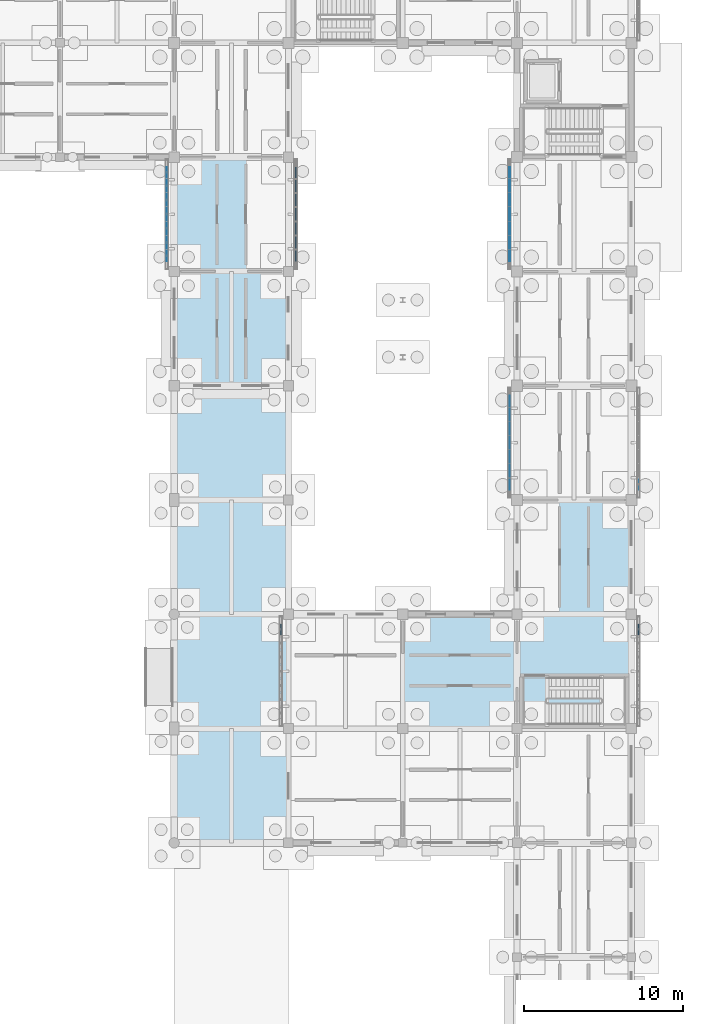
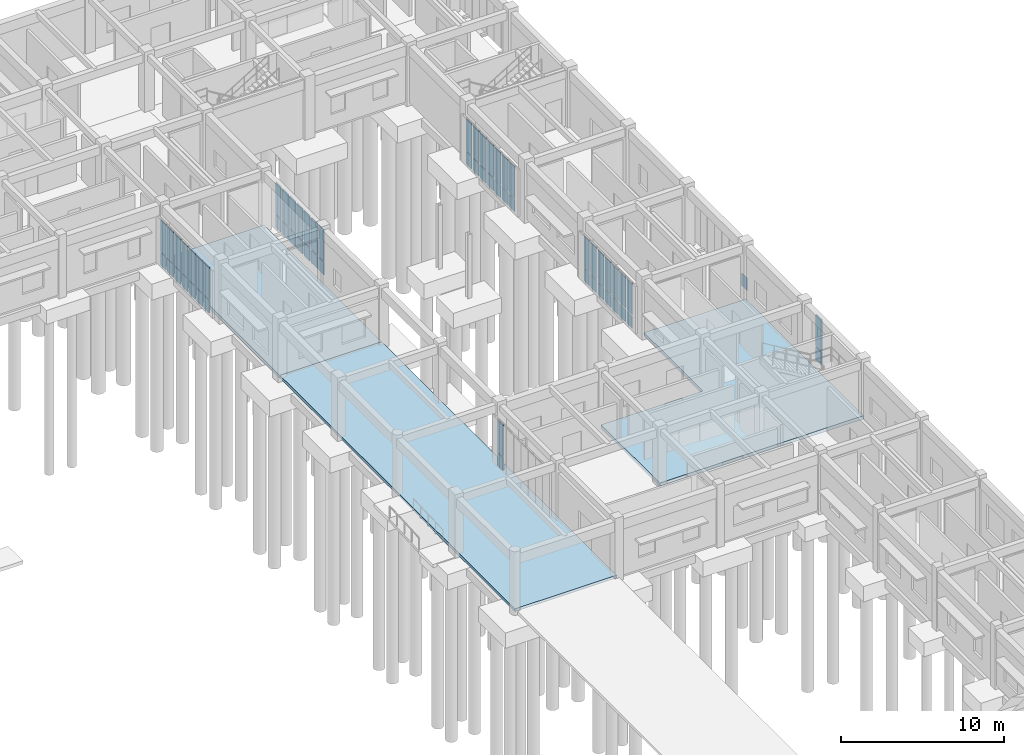
# One storey, part 56 of 111: 61 plates, 3 slabs, 7 elements without a shape of their own.
"""IFC4 building model written with IfcOpenShell, lengths in metres."""

from ifc_helpers import new_model, si_unit, direction, frame, origin, origin_2d, place, context, subcontext, project, spatial, polyline, rectangle, outline, extrude, material, layer, layer_set, type_object, element, aggregate, save


model = new_model("IFC4")

# Units and contexts
model_context = context("Model", 3, precision=1e-05, world=origin(), true_north=direction((0.0, 1.0)))
body_context = subcontext(model_context, "Body", "Model", "MODEL_VIEW")
ifc_project = project(units=[si_unit("LENGTHUNIT", "METRE"), si_unit("AREAUNIT", "SQUARE_METRE"), si_unit("VOLUMEUNIT", "CUBIC_METRE"), si_unit("PLANEANGLEUNIT", "RADIAN"), si_unit("MASSUNIT", "GRAM", prefix="KILO")], contexts=[model_context])

# Site, building, storey
site_placement = place(None, origin())
site = spatial("IfcSite", under=ifc_project, at=site_placement, CompositionType="ELEMENT")
building_placement = place(site_placement, origin())
building = spatial("IfcBuilding", under=site, at=building_placement, Name="Aldebral Square Health Centre", CompositionType="ELEMENT")
storey_placement = place(building_placement, origin())
storey = spatial("IfcBuildingStorey", under=building, at=storey_placement, Name="L00", CompositionType="ELEMENT", Elevation=0.0)

# Curtain wall, plates
ifc_material_1 = material(Name="Aluminium and low-E solar glass", Category="aluminium")
curtain_wall_type = type_object("IfcCurtainWallType", Name="CW-FIN-SYS", PredefinedType="USERDEFINED", material=ifc_material_1)
curtain_wall_1_placement = place(storey_placement, origin())
curtain_wall_1 = element("IfcCurtainWall", 1, at=curtain_wall_1_placement, inside=storey, type_object=curtain_wall_type, Name="L00 V5 finned curtain wall L00-V5-22-10-W", ObjectType="SOLAR_CURTAIN_WALL", PredefinedType="USERDEFINED")
ifc_material_2 = material(Name="Solar-control low-E double glass", Category="glass")
ifc_layer_1 = layer(ifc_material_2, 0.02001953125, Name="Solar-control low-E double glass", Category="glass")
ifc_layer_set_1 = layer_set([ifc_layer_1], Name="Solar-control low-E double glass")
plate_type_1 = type_object("IfcPlateType", Name="CWP-GLZ-1", PredefinedType="CURTAIN_PANEL", material=ifc_layer_set_1)
plate_1_placement = place(storey_placement, frame((157.93994140625, 78.234375, 0.074951171875), z_axis=(0.0, 0.0, 1.0), x_axis=(0.0, -1.0, 0.0)))
plate_1 = element("IfcPlate", 2, at=plate_1_placement, type_object=plate_type_1, Name="CW1 panel 1.1", PredefinedType="CURTAIN_PANEL", context=body_context, shape_type="SweptSolid", body=[
    extrude(rectangle(XDim=0.6513671875, YDim=0.02001953125, at=origin_2d()), origin(), (0.0, 0.0, 1.0), 0.9375),
])
plate_2_placement = place(storey_placement, frame((157.93994140625, 78.234375, 1.087646484375), z_axis=(0.0, 0.0, 1.0), x_axis=(0.0, -1.0, 0.0)))
plate_2 = element("IfcPlate", 3, at=plate_2_placement, type_object=plate_type_1, Name="CW1 panel 1.2", PredefinedType="CURTAIN_PANEL", context=body_context, shape_type="SweptSolid", body=[
    extrude(rectangle(XDim=0.6513671875, YDim=0.02001953125, at=origin_2d()), origin(), (0.0, 0.0, 1.0), 2.357421875),
])
plate_3_placement = place(storey_placement, frame((157.93994140625, 77.3828125, 0.074951171875), z_axis=(0.0, 0.0, 1.0), x_axis=(0.0, -1.0, 0.0)))
plate_3 = element("IfcPlate", 4, at=plate_3_placement, type_object=plate_type_1, Name="CW1 panel 2.1", PredefinedType="CURTAIN_PANEL", context=body_context, shape_type="SweptSolid", body=[
    extrude(rectangle(XDim=0.7314453125, YDim=0.02001953125, at=origin_2d()), origin(), (0.0, 0.0, 1.0), 0.9375),
])
plate_4_placement = place(storey_placement, frame((157.93994140625, 77.3828125, 1.087646484375), z_axis=(0.0, 0.0, 1.0), x_axis=(0.0, -1.0, 0.0)))
plate_4 = element("IfcPlate", 5, at=plate_4_placement, type_object=plate_type_1, Name="CW1 panel 2.2", PredefinedType="CURTAIN_PANEL", context=body_context, shape_type="SweptSolid", body=[
    extrude(rectangle(XDim=0.7314453125, YDim=0.02001953125, at=origin_2d()), origin(), (0.0, 0.0, 1.0), 2.357421875),
])
plate_5_placement = place(storey_placement, frame((157.93994140625, 76.491455078125, 0.074951171875), z_axis=(0.0, 0.0, 1.0), x_axis=(0.0, -1.0, 0.0)))
plate_5 = element("IfcPlate", 6, at=plate_5_placement, type_object=plate_type_1, Name="CW1 panel 3.1", PredefinedType="CURTAIN_PANEL", context=body_context, shape_type="SweptSolid", body=[
    extrude(rectangle(XDim=0.7314453125, YDim=0.02001953125, at=origin_2d()), origin(), (0.0, 0.0, 1.0), 0.9375),
])
plate_6_placement = place(storey_placement, frame((157.93994140625, 76.491455078125, 1.087646484375), z_axis=(0.0, 0.0, 1.0), x_axis=(0.0, -1.0, 0.0)))
plate_6 = element("IfcPlate", 7, at=plate_6_placement, type_object=plate_type_1, Name="CW1 panel 3.2", PredefinedType="CURTAIN_PANEL", context=body_context, shape_type="SweptSolid", body=[
    extrude(rectangle(XDim=0.7314453125, YDim=0.02001953125, at=origin_2d()), origin(), (0.0, 0.0, 1.0), 2.357421875),
])
plate_7_placement = place(storey_placement, frame((157.93994140625, 75.60009765625, 0.074951171875), z_axis=(0.0, 0.0, 1.0), x_axis=(0.0, -1.0, 0.0)))
plate_7 = element("IfcPlate", 8, at=plate_7_placement, type_object=plate_type_1, Name="CW1 panel 4.1", PredefinedType="CURTAIN_PANEL", context=body_context, shape_type="SweptSolid", body=[
    extrude(rectangle(XDim=0.7314453125, YDim=0.02001953125, at=origin_2d()), origin(), (0.0, 0.0, 1.0), 0.9375),
])
plate_8_placement = place(storey_placement, frame((157.93994140625, 75.60009765625, 1.087646484375), z_axis=(0.0, 0.0, 1.0), x_axis=(0.0, -1.0, 0.0)))
plate_8 = element("IfcPlate", 9, at=plate_8_placement, type_object=plate_type_1, Name="CW1 panel 4.2", PredefinedType="CURTAIN_PANEL", context=body_context, shape_type="SweptSolid", body=[
    extrude(rectangle(XDim=0.7314453125, YDim=0.02001953125, at=origin_2d()), origin(), (0.0, 0.0, 1.0), 2.357421875),
])
plate_9_placement = place(storey_placement, frame((157.93994140625, 74.70849609375, 0.074951171875), z_axis=(0.0, 0.0, 1.0), x_axis=(0.0, -1.0, 0.0)))
plate_9 = element("IfcPlate", 10, at=plate_9_placement, type_object=plate_type_1, Name="CW1 panel 5.1", PredefinedType="CURTAIN_PANEL", context=body_context, shape_type="SweptSolid", body=[
    extrude(rectangle(XDim=0.7314453125, YDim=0.02001953125, at=origin_2d()), origin(), (0.0, 0.0, 1.0), 0.9375),
])
plate_10_placement = place(storey_placement, frame((157.93994140625, 74.70849609375, 1.087646484375), z_axis=(0.0, 0.0, 1.0), x_axis=(0.0, -1.0, 0.0)))
plate_10 = element("IfcPlate", 11, at=plate_10_placement, type_object=plate_type_1, Name="CW1 panel 5.2", PredefinedType="CURTAIN_PANEL", context=body_context, shape_type="SweptSolid", body=[
    extrude(rectangle(XDim=0.7314453125, YDim=0.02001953125, at=origin_2d()), origin(), (0.0, 0.0, 1.0), 2.357421875),
])
plate_11_placement = place(storey_placement, frame((157.93994140625, 73.817138671875, 0.074951171875), z_axis=(0.0, 0.0, 1.0), x_axis=(0.0, -1.0, 0.0)))
plate_11 = element("IfcPlate", 12, at=plate_11_placement, type_object=plate_type_1, Name="CW1 panel 6.1", PredefinedType="CURTAIN_PANEL", context=body_context, shape_type="SweptSolid", body=[
    extrude(rectangle(XDim=0.7314453125, YDim=0.02001953125, at=origin_2d()), origin(), (0.0, 0.0, 1.0), 0.9375),
])
plate_12_placement = place(storey_placement, frame((157.93994140625, 73.817138671875, 1.087646484375), z_axis=(0.0, 0.0, 1.0), x_axis=(0.0, -1.0, 0.0)))
plate_12 = element("IfcPlate", 13, at=plate_12_placement, type_object=plate_type_1, Name="CW1 panel 6.2", PredefinedType="CURTAIN_PANEL", context=body_context, shape_type="SweptSolid", body=[
    extrude(rectangle(XDim=0.7314453125, YDim=0.02001953125, at=origin_2d()), origin(), (0.0, 0.0, 1.0), 2.357421875),
])
plate_13_placement = place(storey_placement, frame((157.93994140625, 72.9658203125, 0.074951171875), z_axis=(0.0, 0.0, 1.0), x_axis=(0.0, -1.0, 0.0)))
plate_13 = element("IfcPlate", 14, at=plate_13_placement, type_object=plate_type_1, Name="CW1 panel 7.1", PredefinedType="CURTAIN_PANEL", context=body_context, shape_type="SweptSolid", body=[
    extrude(rectangle(XDim=0.6513671875, YDim=0.02001953125, at=origin_2d()), origin(), (0.0, 0.0, 1.0), 0.9375),
])
plate_14_placement = place(storey_placement, frame((157.93994140625, 72.9658203125, 1.087646484375), z_axis=(0.0, 0.0, 1.0), x_axis=(0.0, -1.0, 0.0)))
plate_14 = element("IfcPlate", 15, at=plate_14_placement, type_object=plate_type_1, Name="CW1 panel 7.2", PredefinedType="CURTAIN_PANEL", context=body_context, shape_type="SweptSolid", body=[
    extrude(rectangle(XDim=0.6513671875, YDim=0.02001953125, at=origin_2d()), origin(), (0.0, 0.0, 1.0), 2.357421875),
])
aggregate(curtain_wall_1, [plate_1, plate_2, plate_3, plate_4, plate_5, plate_6, plate_7, plate_8, plate_9, plate_10, plate_11, plate_12, plate_13, plate_14])

# Curtain wall, plate
curtain_wall_2_placement = place(storey_placement, origin())
curtain_wall_2 = element("IfcCurtainWall", 16, at=curtain_wall_2_placement, inside=storey, type_object=curtain_wall_type, Name="L00 V5 finned curtain wall L00-V5-22-10-E", ObjectType="SOLAR_CURTAIN_WALL", PredefinedType="USERDEFINED")
ifc_layer_2 = layer(ifc_material_2, 0.030029296875, Name="Solar-control low-E double glass", Category="glass")
ifc_layer_set_2 = layer_set([ifc_layer_2], Name="Solar-control low-E double glass")
plate_type_2 = type_object("IfcPlateType", Name="CWP-GLZ-2", PredefinedType="CURTAIN_PANEL", material=ifc_layer_set_2)
plate_15_placement = place(storey_placement, frame((166.06005859375, 72.9658203125, 0.074951171875), z_axis=(0.0, 0.0, 1.0), x_axis=(0.0, 1.0, 0.0)))
plate_15 = element("IfcPlate", 17, at=plate_15_placement, type_object=plate_type_2, Name="CW1 panel 1.1", PredefinedType="CURTAIN_PANEL", context=body_context, shape_type="SweptSolid", body=[
    extrude(rectangle(XDim=0.6513671875, YDim=0.030029296875, at=origin_2d()), origin(), (0.0, 0.0, 1.0), 0.9375),
])
aggregate(curtain_wall_2, [plate_15])

# Curtain wall, plates
curtain_wall_3_placement = place(storey_placement, origin())
curtain_wall_3 = element("IfcCurtainWall", 18, at=curtain_wall_3_placement, inside=storey, type_object=curtain_wall_type, Name="L00 V5 finned curtain wall L00-V5-22-12-W", ObjectType="SOLAR_CURTAIN_WALL", PredefinedType="USERDEFINED")
ifc_layer_3 = layer(ifc_material_2, 0.0400390625, Name="Solar-control low-E double glass", Category="glass")
ifc_layer_set_3 = layer_set([ifc_layer_3], Name="Solar-control low-E double glass")
plate_type_3 = type_object("IfcPlateType", Name="CWP-GLZ-3", PredefinedType="CURTAIN_PANEL", material=ifc_layer_set_3)
plate_16_placement = place(storey_placement, frame((157.93994140625, 92.63427734375, 0.074951171875), z_axis=(0.0, 0.0, 1.0), x_axis=(0.0, -1.0, 0.0)))
plate_16 = element("IfcPlate", 19, at=plate_16_placement, type_object=plate_type_3, Name="CW1 panel 1.1", PredefinedType="CURTAIN_PANEL", context=body_context, shape_type="SweptSolid", body=[
    extrude(rectangle(XDim=0.6513671875, YDim=0.0400390625, at=origin_2d()), origin(), (0.0, 0.0, 1.0), 0.9375),
])
plate_17_placement = place(storey_placement, frame((157.93994140625, 92.63427734375, 1.087646484375), z_axis=(0.0, 0.0, 1.0), x_axis=(0.0, -1.0, 0.0)))
plate_17 = element("IfcPlate", 20, at=plate_17_placement, type_object=plate_type_3, Name="CW1 panel 1.2", PredefinedType="CURTAIN_PANEL", context=body_context, shape_type="SweptSolid", body=[
    extrude(rectangle(XDim=0.6513671875, YDim=0.0400390625, at=origin_2d()), origin(), (0.0, 0.0, 1.0), 2.357421875),
])
plate_18_placement = place(storey_placement, frame((157.93994140625, 91.782958984375, 0.074951171875), z_axis=(0.0, 0.0, 1.0), x_axis=(0.0, -1.0, 0.0)))
plate_18 = element("IfcPlate", 21, at=plate_18_placement, type_object=plate_type_3, Name="CW1 panel 2.1", PredefinedType="CURTAIN_PANEL", context=body_context, shape_type="SweptSolid", body=[
    extrude(rectangle(XDim=0.7314453125, YDim=0.0400390625, at=origin_2d()), origin(), (0.0, 0.0, 1.0), 0.9375),
])
plate_19_placement = place(storey_placement, frame((157.93994140625, 91.782958984375, 1.087646484375), z_axis=(0.0, 0.0, 1.0), x_axis=(0.0, -1.0, 0.0)))
plate_19 = element("IfcPlate", 22, at=plate_19_placement, type_object=plate_type_3, Name="CW1 panel 2.2", PredefinedType="CURTAIN_PANEL", context=body_context, shape_type="SweptSolid", body=[
    extrude(rectangle(XDim=0.7314453125, YDim=0.0400390625, at=origin_2d()), origin(), (0.0, 0.0, 1.0), 2.357421875),
])
plate_20_placement = place(storey_placement, frame((157.93994140625, 90.891357421875, 0.074951171875), z_axis=(0.0, 0.0, 1.0), x_axis=(0.0, -1.0, 0.0)))
plate_20 = element("IfcPlate", 23, at=plate_20_placement, type_object=plate_type_3, Name="CW1 panel 3.1", PredefinedType="CURTAIN_PANEL", context=body_context, shape_type="SweptSolid", body=[
    extrude(rectangle(XDim=0.7314453125, YDim=0.0400390625, at=origin_2d()), origin(), (0.0, 0.0, 1.0), 0.9375),
])
plate_21_placement = place(storey_placement, frame((157.93994140625, 90.891357421875, 1.087646484375), z_axis=(0.0, 0.0, 1.0), x_axis=(0.0, -1.0, 0.0)))
plate_21 = element("IfcPlate", 24, at=plate_21_placement, type_object=plate_type_3, Name="CW1 panel 3.2", PredefinedType="CURTAIN_PANEL", context=body_context, shape_type="SweptSolid", body=[
    extrude(rectangle(XDim=0.7314453125, YDim=0.0400390625, at=origin_2d()), origin(), (0.0, 0.0, 1.0), 2.357421875),
])
plate_22_placement = place(storey_placement, frame((157.93994140625, 90.0, 0.074951171875), z_axis=(0.0, 0.0, 1.0), x_axis=(0.0, -1.0, 0.0)))
plate_22 = element("IfcPlate", 25, at=plate_22_placement, type_object=plate_type_3, Name="CW1 panel 4.1", PredefinedType="CURTAIN_PANEL", context=body_context, shape_type="SweptSolid", body=[
    extrude(rectangle(XDim=0.7314453125, YDim=0.0400390625, at=origin_2d()), origin(), (0.0, 0.0, 1.0), 0.9375),
])
plate_23_placement = place(storey_placement, frame((157.93994140625, 90.0, 1.087646484375), z_axis=(0.0, 0.0, 1.0), x_axis=(0.0, -1.0, 0.0)))
plate_23 = element("IfcPlate", 26, at=plate_23_placement, type_object=plate_type_3, Name="CW1 panel 4.2", PredefinedType="CURTAIN_PANEL", context=body_context, shape_type="SweptSolid", body=[
    extrude(rectangle(XDim=0.7314453125, YDim=0.0400390625, at=origin_2d()), origin(), (0.0, 0.0, 1.0), 2.357421875),
])
plate_24_placement = place(storey_placement, frame((157.93994140625, 89.108642578125, 0.074951171875), z_axis=(0.0, 0.0, 1.0), x_axis=(0.0, -1.0, 0.0)))
plate_24 = element("IfcPlate", 27, at=plate_24_placement, type_object=plate_type_3, Name="CW1 panel 5.1", PredefinedType="CURTAIN_PANEL", context=body_context, shape_type="SweptSolid", body=[
    extrude(rectangle(XDim=0.7314453125, YDim=0.0400390625, at=origin_2d()), origin(), (0.0, 0.0, 1.0), 0.9375),
])
plate_25_placement = place(storey_placement, frame((157.93994140625, 89.108642578125, 1.087646484375), z_axis=(0.0, 0.0, 1.0), x_axis=(0.0, -1.0, 0.0)))
plate_25 = element("IfcPlate", 28, at=plate_25_placement, type_object=plate_type_3, Name="CW1 panel 5.2", PredefinedType="CURTAIN_PANEL", context=body_context, shape_type="SweptSolid", body=[
    extrude(rectangle(XDim=0.7314453125, YDim=0.0400390625, at=origin_2d()), origin(), (0.0, 0.0, 1.0), 2.357421875),
])
plate_26_placement = place(storey_placement, frame((157.93994140625, 88.217041015625, 0.074951171875), z_axis=(0.0, 0.0, 1.0), x_axis=(0.0, -1.0, 0.0)))
plate_26 = element("IfcPlate", 29, at=plate_26_placement, type_object=plate_type_3, Name="CW1 panel 6.1", PredefinedType="CURTAIN_PANEL", context=body_context, shape_type="SweptSolid", body=[
    extrude(rectangle(XDim=0.7314453125, YDim=0.0400390625, at=origin_2d()), origin(), (0.0, 0.0, 1.0), 0.9375),
])
plate_27_placement = place(storey_placement, frame((157.93994140625, 88.217041015625, 1.087646484375), z_axis=(0.0, 0.0, 1.0), x_axis=(0.0, -1.0, 0.0)))
plate_27 = element("IfcPlate", 30, at=plate_27_placement, type_object=plate_type_3, Name="CW1 panel 6.2", PredefinedType="CURTAIN_PANEL", context=body_context, shape_type="SweptSolid", body=[
    extrude(rectangle(XDim=0.7314453125, YDim=0.0400390625, at=origin_2d()), origin(), (0.0, 0.0, 1.0), 2.357421875),
])
plate_28_placement = place(storey_placement, frame((157.93994140625, 87.36572265625, 0.074951171875), z_axis=(0.0, 0.0, 1.0), x_axis=(0.0, -1.0, 0.0)))
plate_28 = element("IfcPlate", 31, at=plate_28_placement, type_object=plate_type_3, Name="CW1 panel 7.1", PredefinedType="CURTAIN_PANEL", context=body_context, shape_type="SweptSolid", body=[
    extrude(rectangle(XDim=0.6513671875, YDim=0.0400390625, at=origin_2d()), origin(), (0.0, 0.0, 1.0), 0.9375),
])
plate_29_placement = place(storey_placement, frame((157.93994140625, 87.36572265625, 1.087646484375), z_axis=(0.0, 0.0, 1.0), x_axis=(0.0, -1.0, 0.0)))
plate_29 = element("IfcPlate", 32, at=plate_29_placement, type_object=plate_type_3, Name="CW1 panel 7.2", PredefinedType="CURTAIN_PANEL", context=body_context, shape_type="SweptSolid", body=[
    extrude(rectangle(XDim=0.6513671875, YDim=0.0400390625, at=origin_2d()), origin(), (0.0, 0.0, 1.0), 2.357421875),
])
aggregate(curtain_wall_3, [plate_16, plate_17, plate_18, plate_19, plate_20, plate_21, plate_22, plate_23, plate_24, plate_25, plate_26, plate_27, plate_28, plate_29])

curtain_wall_4_placement = place(storey_placement, origin())
curtain_wall_4 = element("IfcCurtainWall", 33, at=curtain_wall_4_placement, inside=storey, type_object=curtain_wall_type, Name="L00 V5 finned curtain wall L00-V5-19-12-W", ObjectType="SOLAR_CURTAIN_WALL", PredefinedType="USERDEFINED")
ifc_layer_4 = layer(ifc_material_2, 0.06005859375, Name="Solar-control low-E double glass", Category="glass")
ifc_layer_set_4 = layer_set([ifc_layer_4], Name="Solar-control low-E double glass")
plate_type_4 = type_object("IfcPlateType", Name="CWP-GLZ-5", PredefinedType="CURTAIN_PANEL", material=ifc_layer_set_4)
plate_30_placement = place(storey_placement, frame((136.340087890625, 92.63427734375, 0.074951171875), z_axis=(0.0, 0.0, 1.0), x_axis=(0.0, -1.0, 0.0)))
plate_30 = element("IfcPlate", 34, at=plate_30_placement, type_object=plate_type_4, Name="CW1 panel 1.1", PredefinedType="CURTAIN_PANEL", context=body_context, shape_type="SweptSolid", body=[
    extrude(rectangle(XDim=0.6513671875, YDim=0.06005859375, at=origin_2d()), origin(), (0.0, 0.0, 1.0), 0.9375),
])
plate_31_placement = place(storey_placement, frame((136.340087890625, 92.63427734375, 1.087646484375), z_axis=(0.0, 0.0, 1.0), x_axis=(0.0, -1.0, 0.0)))
plate_31 = element("IfcPlate", 35, at=plate_31_placement, type_object=plate_type_4, Name="CW1 panel 1.2", PredefinedType="CURTAIN_PANEL", context=body_context, shape_type="SweptSolid", body=[
    extrude(rectangle(XDim=0.6513671875, YDim=0.06005859375, at=origin_2d()), origin(), (0.0, 0.0, 1.0), 2.357421875),
])
plate_32_placement = place(storey_placement, frame((136.340087890625, 91.782958984375, 0.074951171875), z_axis=(0.0, 0.0, 1.0), x_axis=(0.0, -1.0, 0.0)))
plate_32 = element("IfcPlate", 36, at=plate_32_placement, type_object=plate_type_4, Name="CW1 panel 2.1", PredefinedType="CURTAIN_PANEL", context=body_context, shape_type="SweptSolid", body=[
    extrude(rectangle(XDim=0.7314453125, YDim=0.06005859375, at=origin_2d()), origin(), (0.0, 0.0, 1.0), 0.9375),
])
plate_33_placement = place(storey_placement, frame((136.340087890625, 91.782958984375, 1.087646484375), z_axis=(0.0, 0.0, 1.0), x_axis=(0.0, -1.0, 0.0)))
plate_33 = element("IfcPlate", 37, at=plate_33_placement, type_object=plate_type_4, Name="CW1 panel 2.2", PredefinedType="CURTAIN_PANEL", context=body_context, shape_type="SweptSolid", body=[
    extrude(rectangle(XDim=0.7314453125, YDim=0.06005859375, at=origin_2d()), origin(), (0.0, 0.0, 1.0), 2.357421875),
])
plate_34_placement = place(storey_placement, frame((136.340087890625, 90.891357421875, 0.074951171875), z_axis=(0.0, 0.0, 1.0), x_axis=(0.0, -1.0, 0.0)))
plate_34 = element("IfcPlate", 38, at=plate_34_placement, type_object=plate_type_4, Name="CW1 panel 3.1", PredefinedType="CURTAIN_PANEL", context=body_context, shape_type="SweptSolid", body=[
    extrude(rectangle(XDim=0.7314453125, YDim=0.06005859375, at=origin_2d()), origin(), (0.0, 0.0, 1.0), 0.9375),
])
plate_35_placement = place(storey_placement, frame((136.340087890625, 90.891357421875, 1.087646484375), z_axis=(0.0, 0.0, 1.0), x_axis=(0.0, -1.0, 0.0)))
plate_35 = element("IfcPlate", 39, at=plate_35_placement, type_object=plate_type_4, Name="CW1 panel 3.2", PredefinedType="CURTAIN_PANEL", context=body_context, shape_type="SweptSolid", body=[
    extrude(rectangle(XDim=0.7314453125, YDim=0.06005859375, at=origin_2d()), origin(), (0.0, 0.0, 1.0), 2.357421875),
])
plate_36_placement = place(storey_placement, frame((136.340087890625, 90.0, 0.074951171875), z_axis=(0.0, 0.0, 1.0), x_axis=(0.0, -1.0, 0.0)))
plate_36 = element("IfcPlate", 40, at=plate_36_placement, type_object=plate_type_4, Name="CW1 panel 4.1", PredefinedType="CURTAIN_PANEL", context=body_context, shape_type="SweptSolid", body=[
    extrude(rectangle(XDim=0.7314453125, YDim=0.06005859375, at=origin_2d()), origin(), (0.0, 0.0, 1.0), 0.9375),
])
plate_37_placement = place(storey_placement, frame((136.340087890625, 90.0, 1.087646484375), z_axis=(0.0, 0.0, 1.0), x_axis=(0.0, -1.0, 0.0)))
plate_37 = element("IfcPlate", 41, at=plate_37_placement, type_object=plate_type_4, Name="CW1 panel 4.2", PredefinedType="CURTAIN_PANEL", context=body_context, shape_type="SweptSolid", body=[
    extrude(rectangle(XDim=0.7314453125, YDim=0.06005859375, at=origin_2d()), origin(), (0.0, 0.0, 1.0), 2.357421875),
])
plate_38_placement = place(storey_placement, frame((136.340087890625, 89.108642578125, 0.074951171875), z_axis=(0.0, 0.0, 1.0), x_axis=(0.0, -1.0, 0.0)))
plate_38 = element("IfcPlate", 42, at=plate_38_placement, type_object=plate_type_4, Name="CW1 panel 5.1", PredefinedType="CURTAIN_PANEL", context=body_context, shape_type="SweptSolid", body=[
    extrude(rectangle(XDim=0.7314453125, YDim=0.06005859375, at=origin_2d()), origin(), (0.0, 0.0, 1.0), 0.9375),
])
plate_39_placement = place(storey_placement, frame((136.340087890625, 89.108642578125, 1.087646484375), z_axis=(0.0, 0.0, 1.0), x_axis=(0.0, -1.0, 0.0)))
plate_39 = element("IfcPlate", 43, at=plate_39_placement, type_object=plate_type_4, Name="CW1 panel 5.2", PredefinedType="CURTAIN_PANEL", context=body_context, shape_type="SweptSolid", body=[
    extrude(rectangle(XDim=0.7314453125, YDim=0.06005859375, at=origin_2d()), origin(), (0.0, 0.0, 1.0), 2.357421875),
])
plate_40_placement = place(storey_placement, frame((136.340087890625, 88.217041015625, 0.074951171875), z_axis=(0.0, 0.0, 1.0), x_axis=(0.0, -1.0, 0.0)))
plate_40 = element("IfcPlate", 44, at=plate_40_placement, type_object=plate_type_4, Name="CW1 panel 6.1", PredefinedType="CURTAIN_PANEL", context=body_context, shape_type="SweptSolid", body=[
    extrude(rectangle(XDim=0.7314453125, YDim=0.06005859375, at=origin_2d()), origin(), (0.0, 0.0, 1.0), 0.9375),
])
plate_41_placement = place(storey_placement, frame((136.340087890625, 88.217041015625, 1.087646484375), z_axis=(0.0, 0.0, 1.0), x_axis=(0.0, -1.0, 0.0)))
plate_41 = element("IfcPlate", 45, at=plate_41_placement, type_object=plate_type_4, Name="CW1 panel 6.2", PredefinedType="CURTAIN_PANEL", context=body_context, shape_type="SweptSolid", body=[
    extrude(rectangle(XDim=0.7314453125, YDim=0.06005859375, at=origin_2d()), origin(), (0.0, 0.0, 1.0), 2.357421875),
])
plate_42_placement = place(storey_placement, frame((136.340087890625, 87.36572265625, 0.074951171875), z_axis=(0.0, 0.0, 1.0), x_axis=(0.0, -1.0, 0.0)))
plate_42 = element("IfcPlate", 46, at=plate_42_placement, type_object=plate_type_4, Name="CW1 panel 7.1", PredefinedType="CURTAIN_PANEL", context=body_context, shape_type="SweptSolid", body=[
    extrude(rectangle(XDim=0.6513671875, YDim=0.06005859375, at=origin_2d()), origin(), (0.0, 0.0, 1.0), 0.9375),
])
plate_43_placement = place(storey_placement, frame((136.340087890625, 87.36572265625, 1.087646484375), z_axis=(0.0, 0.0, 1.0), x_axis=(0.0, -1.0, 0.0)))
plate_43 = element("IfcPlate", 47, at=plate_43_placement, type_object=plate_type_4, Name="CW1 panel 7.2", PredefinedType="CURTAIN_PANEL", context=body_context, shape_type="SweptSolid", body=[
    extrude(rectangle(XDim=0.6513671875, YDim=0.06005859375, at=origin_2d()), origin(), (0.0, 0.0, 1.0), 2.357421875),
])
aggregate(curtain_wall_4, [plate_30, plate_31, plate_32, plate_33, plate_34, plate_35, plate_36, plate_37, plate_38, plate_39, plate_40, plate_41, plate_42, plate_43])

curtain_wall_5_placement = place(storey_placement, origin())
curtain_wall_5 = element("IfcCurtainWall", 48, at=curtain_wall_5_placement, inside=storey, type_object=curtain_wall_type, Name="L00 V5 finned curtain wall L00-V5-19-12-E", ObjectType="SOLAR_CURTAIN_WALL", PredefinedType="USERDEFINED")
ifc_layer_5 = layer(ifc_material_2, 0.070068359375, Name="Solar-control low-E double glass", Category="glass")
ifc_layer_set_5 = layer_set([ifc_layer_5], Name="Solar-control low-E double glass")
plate_type_5 = type_object("IfcPlateType", Name="CWP-GLZ-6", PredefinedType="CURTAIN_PANEL", material=ifc_layer_set_5)
plate_44_placement = place(storey_placement, frame((144.4599609375, 87.36572265625, 0.074951171875), z_axis=(0.0, 0.0, 1.0), x_axis=(0.0, 1.0, 0.0)))
plate_44 = element("IfcPlate", 49, at=plate_44_placement, type_object=plate_type_5, Name="CW1 panel 1.1", PredefinedType="CURTAIN_PANEL", context=body_context, shape_type="SweptSolid", body=[
    extrude(rectangle(XDim=0.6513671875, YDim=0.070068359375, at=origin_2d()), origin(), (0.0, 0.0, 1.0), 0.9375),
])
plate_45_placement = place(storey_placement, frame((144.4599609375, 87.36572265625, 1.087646484375), z_axis=(0.0, 0.0, 1.0), x_axis=(0.0, 1.0, 0.0)))
plate_45 = element("IfcPlate", 50, at=plate_45_placement, type_object=plate_type_5, Name="CW1 panel 1.2", PredefinedType="CURTAIN_PANEL", context=body_context, shape_type="SweptSolid", body=[
    extrude(rectangle(XDim=0.6513671875, YDim=0.070068359375, at=origin_2d()), origin(), (0.0, 0.0, 1.0), 2.357421875),
])
plate_46_placement = place(storey_placement, frame((144.4599609375, 88.217041015625, 0.074951171875), z_axis=(0.0, 0.0, 1.0), x_axis=(0.0, 1.0, 0.0)))
plate_46 = element("IfcPlate", 51, at=plate_46_placement, type_object=plate_type_5, Name="CW1 panel 2.1", PredefinedType="CURTAIN_PANEL", context=body_context, shape_type="SweptSolid", body=[
    extrude(rectangle(XDim=0.7314453125, YDim=0.070068359375, at=origin_2d()), origin(), (0.0, 0.0, 1.0), 0.9375),
])
plate_47_placement = place(storey_placement, frame((144.4599609375, 88.217041015625, 1.087646484375), z_axis=(0.0, 0.0, 1.0), x_axis=(0.0, 1.0, 0.0)))
plate_47 = element("IfcPlate", 52, at=plate_47_placement, type_object=plate_type_5, Name="CW1 panel 2.2", PredefinedType="CURTAIN_PANEL", context=body_context, shape_type="SweptSolid", body=[
    extrude(rectangle(XDim=0.7314453125, YDim=0.070068359375, at=origin_2d()), origin(), (0.0, 0.0, 1.0), 2.357421875),
])
plate_48_placement = place(storey_placement, frame((144.4599609375, 89.108642578125, 0.074951171875), z_axis=(0.0, 0.0, 1.0), x_axis=(0.0, 1.0, 0.0)))
plate_48 = element("IfcPlate", 53, at=plate_48_placement, type_object=plate_type_5, Name="CW1 panel 3.1", PredefinedType="CURTAIN_PANEL", context=body_context, shape_type="SweptSolid", body=[
    extrude(rectangle(XDim=0.7314453125, YDim=0.070068359375, at=origin_2d()), origin(), (0.0, 0.0, 1.0), 0.9375),
])
plate_49_placement = place(storey_placement, frame((144.4599609375, 89.108642578125, 1.087646484375), z_axis=(0.0, 0.0, 1.0), x_axis=(0.0, 1.0, 0.0)))
plate_49 = element("IfcPlate", 54, at=plate_49_placement, type_object=plate_type_5, Name="CW1 panel 3.2", PredefinedType="CURTAIN_PANEL", context=body_context, shape_type="SweptSolid", body=[
    extrude(rectangle(XDim=0.7314453125, YDim=0.070068359375, at=origin_2d()), origin(), (0.0, 0.0, 1.0), 2.357421875),
])
plate_50_placement = place(storey_placement, frame((144.4599609375, 90.0, 0.074951171875), z_axis=(0.0, 0.0, 1.0), x_axis=(0.0, 1.0, 0.0)))
plate_50 = element("IfcPlate", 55, at=plate_50_placement, type_object=plate_type_5, Name="CW1 panel 4.1", PredefinedType="CURTAIN_PANEL", context=body_context, shape_type="SweptSolid", body=[
    extrude(rectangle(XDim=0.7314453125, YDim=0.070068359375, at=origin_2d()), origin(), (0.0, 0.0, 1.0), 0.9375),
])
plate_51_placement = place(storey_placement, frame((144.4599609375, 90.0, 1.087646484375), z_axis=(0.0, 0.0, 1.0), x_axis=(0.0, 1.0, 0.0)))
plate_51 = element("IfcPlate", 56, at=plate_51_placement, type_object=plate_type_5, Name="CW1 panel 4.2", PredefinedType="CURTAIN_PANEL", context=body_context, shape_type="SweptSolid", body=[
    extrude(rectangle(XDim=0.7314453125, YDim=0.070068359375, at=origin_2d()), origin(), (0.0, 0.0, 1.0), 2.357421875),
])
plate_52_placement = place(storey_placement, frame((144.4599609375, 90.891357421875, 0.074951171875), z_axis=(0.0, 0.0, 1.0), x_axis=(0.0, 1.0, 0.0)))
plate_52 = element("IfcPlate", 57, at=plate_52_placement, type_object=plate_type_5, Name="CW1 panel 5.1", PredefinedType="CURTAIN_PANEL", context=body_context, shape_type="SweptSolid", body=[
    extrude(rectangle(XDim=0.7314453125, YDim=0.070068359375, at=origin_2d()), origin(), (0.0, 0.0, 1.0), 0.9375),
])
plate_53_placement = place(storey_placement, frame((144.4599609375, 90.891357421875, 1.087646484375), z_axis=(0.0, 0.0, 1.0), x_axis=(0.0, 1.0, 0.0)))
plate_53 = element("IfcPlate", 58, at=plate_53_placement, type_object=plate_type_5, Name="CW1 panel 5.2", PredefinedType="CURTAIN_PANEL", context=body_context, shape_type="SweptSolid", body=[
    extrude(rectangle(XDim=0.7314453125, YDim=0.070068359375, at=origin_2d()), origin(), (0.0, 0.0, 1.0), 2.357421875),
])
plate_54_placement = place(storey_placement, frame((144.4599609375, 91.782958984375, 0.074951171875), z_axis=(0.0, 0.0, 1.0), x_axis=(0.0, 1.0, 0.0)))
plate_54 = element("IfcPlate", 59, at=plate_54_placement, type_object=plate_type_5, Name="CW1 panel 6.1", PredefinedType="CURTAIN_PANEL", context=body_context, shape_type="SweptSolid", body=[
    extrude(rectangle(XDim=0.7314453125, YDim=0.070068359375, at=origin_2d()), origin(), (0.0, 0.0, 1.0), 0.9375),
])
plate_55_placement = place(storey_placement, frame((144.4599609375, 91.782958984375, 1.087646484375), z_axis=(0.0, 0.0, 1.0), x_axis=(0.0, 1.0, 0.0)))
plate_55 = element("IfcPlate", 60, at=plate_55_placement, type_object=plate_type_5, Name="CW1 panel 6.2", PredefinedType="CURTAIN_PANEL", context=body_context, shape_type="SweptSolid", body=[
    extrude(rectangle(XDim=0.7314453125, YDim=0.070068359375, at=origin_2d()), origin(), (0.0, 0.0, 1.0), 2.357421875),
])
plate_56_placement = place(storey_placement, frame((144.4599609375, 92.63427734375, 0.074951171875), z_axis=(0.0, 0.0, 1.0), x_axis=(0.0, 1.0, 0.0)))
plate_56 = element("IfcPlate", 61, at=plate_56_placement, type_object=plate_type_5, Name="CW1 panel 7.1", PredefinedType="CURTAIN_PANEL", context=body_context, shape_type="SweptSolid", body=[
    extrude(rectangle(XDim=0.6513671875, YDim=0.070068359375, at=origin_2d()), origin(), (0.0, 0.0, 1.0), 0.9375),
])
plate_57_placement = place(storey_placement, frame((144.4599609375, 92.63427734375, 1.087646484375), z_axis=(0.0, 0.0, 1.0), x_axis=(0.0, 1.0, 0.0)))
plate_57 = element("IfcPlate", 62, at=plate_57_placement, type_object=plate_type_5, Name="CW1 panel 7.2", PredefinedType="CURTAIN_PANEL", context=body_context, shape_type="SweptSolid", body=[
    extrude(rectangle(XDim=0.6513671875, YDim=0.070068359375, at=origin_2d()), origin(), (0.0, 0.0, 1.0), 2.357421875),
])
aggregate(curtain_wall_5, [plate_44, plate_45, plate_46, plate_47, plate_48, plate_49, plate_50, plate_51, plate_52, plate_53, plate_54, plate_55, plate_56, plate_57])

curtain_wall_6_placement = place(storey_placement, origin())
curtain_wall_6 = element("IfcCurtainWall", 63, at=curtain_wall_6_placement, inside=storey, type_object=curtain_wall_type, Name="L00 V5 finned curtain wall L00-V5-20-08-W", ObjectType="SOLAR_CURTAIN_WALL", PredefinedType="USERDEFINED")
ifc_layer_6 = layer(ifc_material_2, 0.080078125, Name="Solar-control low-E double glass", Category="glass")
ifc_layer_set_6 = layer_set([ifc_layer_6], Name="Solar-control low-E double glass")
plate_type_6 = type_object("IfcPlateType", Name="CWP-GLZ-7", PredefinedType="CURTAIN_PANEL", material=ifc_layer_set_6)
plate_58_placement = place(storey_placement, frame((143.5400390625, 63.834228515625, 0.074951171875), z_axis=(0.0, 0.0, 1.0), x_axis=(0.0, -1.0, 0.0)))
plate_58 = element("IfcPlate", 64, at=plate_58_placement, type_object=plate_type_6, Name="CW1 panel 1.1", PredefinedType="CURTAIN_PANEL", context=body_context, shape_type="SweptSolid", body=[
    extrude(rectangle(XDim=0.6513671875, YDim=0.080078125, at=origin_2d()), origin(), (0.0, 0.0, 1.0), 0.9375),
])
plate_59_placement = place(storey_placement, frame((143.5400390625, 63.834228515625, 1.087646484375), z_axis=(0.0, 0.0, 1.0), x_axis=(0.0, -1.0, 0.0)))
plate_59 = element("IfcPlate", 65, at=plate_59_placement, type_object=plate_type_6, Name="CW1 panel 1.2", PredefinedType="CURTAIN_PANEL", context=body_context, shape_type="SweptSolid", body=[
    extrude(rectangle(XDim=0.6513671875, YDim=0.080078125, at=origin_2d()), origin(), (0.0, 0.0, 1.0), 2.357421875),
])
aggregate(curtain_wall_6, [plate_58, plate_59])

curtain_wall_7_placement = place(storey_placement, origin())
curtain_wall_7 = element("IfcCurtainWall", 66, at=curtain_wall_7_placement, inside=storey, type_object=curtain_wall_type, Name="L00 V5 finned curtain wall L00-V5-22-08-E", ObjectType="SOLAR_CURTAIN_WALL", PredefinedType="USERDEFINED")
ifc_layer_7 = layer(ifc_material_2, 0.090087890625, Name="Solar-control low-E double glass", Category="glass")
ifc_layer_set_7 = layer_set([ifc_layer_7], Name="Solar-control low-E double glass")
plate_type_7 = type_object("IfcPlateType", Name="CWP-GLZ-8", PredefinedType="CURTAIN_PANEL", material=ifc_layer_set_7)
plate_60_placement = place(storey_placement, frame((166.06005859375, 63.834228515625, 0.074951171875), z_axis=(0.0, 0.0, 1.0), x_axis=(0.0, 1.0, 0.0)))
plate_60 = element("IfcPlate", 67, at=plate_60_placement, type_object=plate_type_7, Name="CW1 panel 7.1", PredefinedType="CURTAIN_PANEL", context=body_context, shape_type="SweptSolid", body=[
    extrude(rectangle(XDim=0.6513671875, YDim=0.090087890625, at=origin_2d()), origin(), (0.0, 0.0, 1.0), 0.9375),
])
plate_61_placement = place(storey_placement, frame((166.06005859375, 63.834228515625, 1.087646484375), z_axis=(0.0, 0.0, 1.0), x_axis=(0.0, 1.0, 0.0)))
plate_61 = element("IfcPlate", 68, at=plate_61_placement, type_object=plate_type_7, Name="CW1 panel 7.2", PredefinedType="CURTAIN_PANEL", context=body_context, shape_type="SweptSolid", body=[
    extrude(rectangle(XDim=0.6513671875, YDim=0.090087890625, at=origin_2d()), origin(), (0.0, 0.0, 1.0), 2.357421875),
])
aggregate(curtain_wall_7, [plate_60, plate_61])

# Slabs
ifc_material_3 = material(Name="Concrete C35/45", Category="concrete")
ifc_layer_8 = layer(ifc_material_3, 0.25, Name="Concrete C35/45", Category="concrete")
ifc_layer_set_8 = layer_set([ifc_layer_8], Name="Concrete C35/45")
slab_type_1 = type_object("IfcSlabType", Name="SL-BASE-250", PredefinedType="BASESLAB", material=ifc_layer_set_8)
slab_1_placement = place(storey_placement, frame((0.0, 0.0, -0.25)))
element("IfcSlab", 69, at=slab_1_placement, inside=storey, type_object=slab_type_1, Name="L00 V5 base slab 4", PredefinedType="BASESLAB", context=body_context, shape_type="SweptSolid", body=[
    extrude(outline(polyline([(144.0, 79.199951171875), (136.800048828125, 79.199951171875), (136.800048828125, 86.39990234375), (136.800048828125, 93.60009765625), (144.0, 93.60009765625), (144.0, 86.39990234375), (144.0, 79.199951171875)])), origin(), (0.0, 0.0, 1.0), 0.25),
])
slab_2_placement = place(storey_placement, frame((0.0, 0.0, -0.25)))
element("IfcSlab", 70, at=slab_2_placement, inside=storey, type_object=slab_type_1, Name="L00 V5 base slab 8", PredefinedType="BASESLAB", context=body_context, shape_type="SweptSolid", body=[
    extrude(outline(polyline([(151.199951171875, 57.60009765625), (151.199951171875, 64.800048828125), (158.39990234375, 64.800048828125), (158.39990234375, 72.0), (165.60009765625, 72.0), (165.60009765625, 64.800048828125), (165.60009765625, 57.60009765625), (158.39990234375, 57.60009765625), (151.199951171875, 57.60009765625)])), origin(), (0.0, 0.0, 1.0), 0.25),
])
ifc_layer_9 = layer(ifc_material_3, 0.199951171875, Name="Concrete C35/45", Category="concrete")
ifc_layer_set_9 = layer_set([ifc_layer_9], Name="Concrete C35/45")
slab_type_2 = type_object("IfcSlabType", Name="SL-COL-200", PredefinedType="USERDEFINED", material=ifc_layer_set_9)
slab_3_placement = place(storey_placement, frame((0.0, 0.0, -0.199951171875)))
element("IfcSlab", 71, at=slab_3_placement, inside=storey, type_object=slab_type_2, Name="Aldebral Square colonnade paving 4", ObjectType="PAVING", PredefinedType="USERDEFINED", context=body_context, shape_type="SweptSolid", body=[
    extrude(outline(polyline([(136.800048828125, 64.800048828125), (136.800048828125, 72.0), (136.800048828125, 79.199951171875), (144.0, 79.199951171875), (144.0, 72.0), (144.0, 64.800048828125), (144.0, 57.60009765625), (144.0, 50.39990234375), (136.800048828125, 50.39990234375), (136.800048828125, 57.60009765625), (136.800048828125, 64.800048828125)])), origin(), (0.0, 0.0, 1.0), 0.199951171875),
])

save(model, "model.ifc")
